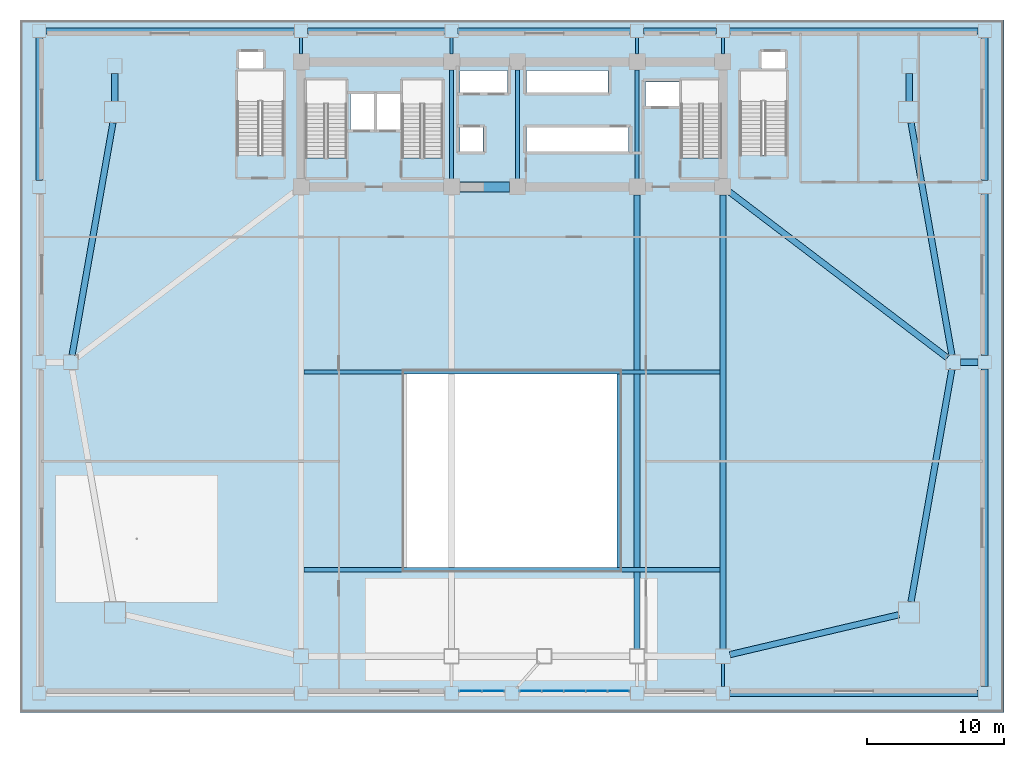
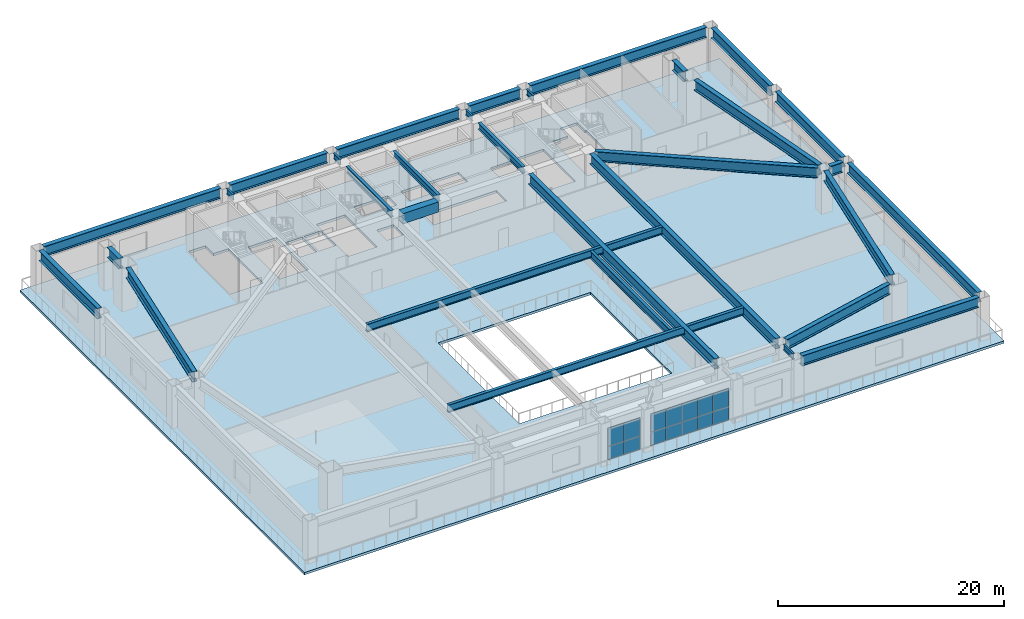
# One storey, part 5 of 14: 32 beams, 14 plates, 1 slab, 2 elements without a shape of their own.
"""IFC4 building model written with IfcOpenShell, lengths in metres."""

import ifcopenshell
import ifcopenshell.guid

model = None  # the IFC model being written
_history = None  # IfcOwnerHistory: only IFC2X3 demands one
_inside = {}  # id of a spatial element -> (the spatial element, [elements in it])
_under = {}  # id of a project, library or spatial element -> (it, [spatial elements below it])
_declared = {}  # id of a project -> (the project, [libraries it declares])
_typed = {}  # id of a type object -> (the type object, [elements of that type])
_made_of = {}  # id of a material, layer set ... -> (it, [elements and type objects made of it])


def new_model(schema):
    """Start an empty IFC model of exactly this schema.

    Asked for "IFC4X3", IfcOpenShell would pick the latest addendum, in which some entities
    have other attributes; the version numbers below select the first issue.
    IFC2X3 requires an IfcOwnerHistory on every rooted entity: one is made here for all.
    """
    global model, _history
    if schema == "IFC4X3":
        model = ifcopenshell.file(schema_version=(4, 3, 0, 0))
    else:
        model = ifcopenshell.file(schema=schema)
    _inside.clear()
    _under.clear()
    _declared.clear()
    _typed.clear()
    _made_of.clear()
    _history = None
    if model.schema == "IFC2X3":
        org = make("IfcOrganization", Name="unknown")
        user = make(
            "IfcPersonAndOrganization",
            ThePerson=make("IfcPerson", FamilyName="unknown"),
            TheOrganization=org,
        )
        app = make(
            "IfcApplication",
            ApplicationDeveloper=org,
            Version="unknown",
            ApplicationFullName="unknown",
            ApplicationIdentifier="unknown",
        )
        _history = make(
            "IfcOwnerHistory",
            OwningUser=user,
            OwningApplication=app,
            ChangeAction="ADDED",
            CreationDate=0,
        )
    return model


def make(cls, **values):
    """One entity of the class cls with the attributes given. An attribute that is None is left unset."""
    return model.create_entity(
        cls, **{name: value for name, value in values.items() if value is not None}
    )


def rooted(cls, **values):
    """An entity with a GlobalId (a new one), such as an element, a storey or a relation."""
    return make(cls, GlobalId=ifcopenshell.guid.new(), OwnerHistory=_history, **values)


def si_unit(unit_type, name, prefix=None):
    """IfcSIUnit, for example si_unit("LENGTHUNIT", "METRE", prefix="MILLI")."""
    return make("IfcSIUnit", UnitType=unit_type, Prefix=prefix, Name=name)


def assignment(units):
    """IfcUnitAssignment: the units of a project."""
    return None if units is None else make("IfcUnitAssignment", Units=units)


def point(xyz):
    """IfcCartesianPoint."""
    return None if xyz is None else make("IfcCartesianPoint", Coordinates=xyz)


def direction(xyz):
    """IfcDirection."""
    return None if xyz is None else make("IfcDirection", DirectionRatios=xyz)


def frame(location, z_axis=None, x_axis=None):
    """IfcAxis2Placement3D, a coordinate frame: its origin and axes. An axis left out is left unset."""
    return make(
        "IfcAxis2Placement3D",
        Location=point(location),
        Axis=direction(z_axis),
        RefDirection=direction(x_axis),
    )


def frame_2d(location, x_axis=None):
    """IfcAxis2Placement2D, a coordinate frame in the plane: its origin and x axis."""
    return make(
        "IfcAxis2Placement2D", Location=point(location), RefDirection=direction(x_axis)
    )


def origin():
    """The frame at (0, 0, 0) with its axes left unset."""
    return frame((0.0, 0.0, 0.0))


def origin_2d():
    """The frame at (0, 0) in the plane with its x axis left unset."""
    return frame_2d((0.0, 0.0))


def place(relative_to, where):
    """IfcLocalPlacement: puts the frame where relative to a parent placement (None: the world)."""
    return make(
        "IfcLocalPlacement", PlacementRelTo=relative_to, RelativePlacement=where
    )


def context(
    kind, dimensions, precision=None, world=None, true_north=None, identifier=None
):
    """IfcGeometricRepresentationContext, for example the 3D "Model" context."""
    return make(
        "IfcGeometricRepresentationContext",
        ContextIdentifier=identifier,
        ContextType=kind,
        CoordinateSpaceDimension=dimensions,
        Precision=precision,
        WorldCoordinateSystem=world,
        TrueNorth=true_north,
    )


def subcontext(parent, identifier, kind, view, scale=None):
    """IfcGeometricRepresentationSubContext, for example "Body" below "Model"."""
    return make(
        "IfcGeometricRepresentationSubContext",
        ContextIdentifier=identifier,
        ContextType=kind,
        ParentContext=parent,
        TargetScale=scale,
        TargetView=view,
    )


def project(units=None, contexts=None):
    """IfcProject with its units and contexts."""
    return rooted(
        "IfcProject",
        Name="project",
        RepresentationContexts=contexts,
        UnitsInContext=assignment(units),
    )


def spatial(cls, under=None, at=None, **own):
    """A site, building, storey or space (cls), placed at a placement, below another one or the project."""
    s = rooted(cls, ObjectPlacement=at, **own)
    if under is not None:
        _under.setdefault(under.id(), (under, []))[1].append(s)
    return s


def polyline(points):
    """IfcPolyline through the points."""
    return make("IfcPolyline", Points=[point(p) for p in points])


def profile(cls, at=None, kind="AREA", **sizes):
    """A parametric profile (cls). Its sizes go by their IFC names, for example OverallWidth=200.0."""
    return make(cls, ProfileType=kind, Position=at, **sizes)


def rectangle(**sizes):
    """IfcRectangleProfileDef."""
    return profile("IfcRectangleProfileDef", **sizes)


def i_section(**sizes):
    """IfcIShapeProfileDef."""
    return profile("IfcIShapeProfileDef", **sizes)


def outline(outer, holes=None, kind="AREA"):
    """IfcArbitraryClosedProfileDef: a profile drawn as a closed curve; with holes, ...WithVoids."""
    if holes is None:
        return make("IfcArbitraryClosedProfileDef", ProfileType=kind, OuterCurve=outer)
    return make(
        "IfcArbitraryProfileDefWithVoids",
        ProfileType=kind,
        OuterCurve=outer,
        InnerCurves=holes,
    )


def extrude(swept, where, along, depth):
    """IfcExtrudedAreaSolid: the profile swept, set in the frame where, extruded along a direction by depth."""
    return make(
        "IfcExtrudedAreaSolid",
        SweptArea=swept,
        Position=where,
        ExtrudedDirection=direction(along),
        Depth=depth,
    )


def shape(context_of_items, identifier, shape_type, items):
    """IfcShapeRepresentation: the items that make up one representation, for example the "Body"."""
    return make(
        "IfcShapeRepresentation",
        ContextOfItems=context_of_items,
        RepresentationIdentifier=identifier,
        RepresentationType=shape_type,
        Items=items,
    )


def source(mapping_origin, context_of_items, identifier, shape_type, items):
    """IfcRepresentationMap: a shape defined once, which mapped items show again and again."""
    return make(
        "IfcRepresentationMap",
        MappingOrigin=mapping_origin,
        MappedRepresentation=shape(context_of_items, identifier, shape_type, items),
    )


def transform(
    local_origin,
    x_axis=None,
    y_axis=None,
    z_axis=None,
    scale=None,
    scale2=None,
    scale3=None,
    uniform=True,
):
    """IfcCartesianTransformationOperator3D, or its non-uniform kind. x_axis, y_axis, z_axis: its Axis1, 2, 3."""
    if uniform:
        return make(
            "IfcCartesianTransformationOperator3D",
            Axis1=direction(x_axis),
            Axis2=direction(y_axis),
            LocalOrigin=point(local_origin),
            Scale=scale,
            Axis3=direction(z_axis),
        )
    return make(
        "IfcCartesianTransformationOperator3DnonUniform",
        Axis1=direction(x_axis),
        Axis2=direction(y_axis),
        LocalOrigin=point(local_origin),
        Scale=scale,
        Axis3=direction(z_axis),
        Scale2=scale2,
        Scale3=scale3,
    )


def mapped(mapping_source, mapping_target):
    """IfcMappedItem: shows the shape of a source again, moved by a transform."""
    return make(
        "IfcMappedItem", MappingSource=mapping_source, MappingTarget=mapping_target
    )


def material(Name=None, Category=None):
    """IfcMaterial."""
    return make("IfcMaterial", Name=Name, Category=Category)


def layer(
    of_material, thickness, ventilated=None, Name=None, Category=None, Priority=None
):
    """IfcMaterialLayer: one layer of a wall or slab, of a material (None: an air gap)."""
    return make(
        "IfcMaterialLayer",
        Material=of_material,
        LayerThickness=thickness,
        IsVentilated=ventilated,
        Name=Name,
        Category=Category,
        Priority=Priority,
    )


def layer_set(layers, Name=None):
    """IfcMaterialLayerSet."""
    return make("IfcMaterialLayerSet", MaterialLayers=layers, LayerSetName=Name)


def material_profile(
    of_material, cross_section, Name=None, Category=None, Priority=None
):
    """IfcMaterialProfile: a cross section and its material."""
    return make(
        "IfcMaterialProfile",
        Name=Name,
        Material=of_material,
        Profile=cross_section,
        Priority=Priority,
        Category=Category,
    )


def profile_set(profiles, Name=None, composite=None):
    """IfcMaterialProfileSet."""
    return make(
        "IfcMaterialProfileSet",
        Name=Name,
        MaterialProfiles=profiles,
        CompositeProfile=composite,
    )


def made_of(thing, what):
    """Note that an element or type object is made of a material, layer set ...; save() writes the relation."""
    if what is not None:
        _made_of.setdefault(what.id(), (what, []))[1].append(thing)
    return thing


def type_object(cls, material=None, **own):
    """A type object (cls), such as IfcWallType, which elements share."""
    return made_of(rooted(cls, **own), material)


def element(
    cls,
    number,
    at=None,
    inside=None,
    cuts=None,
    type_object=None,
    material=None,
    context=None,
    identifier="Body",
    shape_type=None,
    held_by="IfcProductDefinitionShape",
    body=None,
    shapes=None,
    **own,
):
    """One element of the class cls, such as IfcWall. Its Tag is "e" and its number.

    at: its placement. inside: the storey or other place that contains it. cuts: it is an
    opening in that element (IfcRelVoidsElement). A single representation is given by context,
    identifier, shape_type and body (its items); several are given by shapes. held_by: the class
    of the entity that holds the representations. save() writes the other relations.
    """
    e = rooted(cls, Tag="e%d" % number, ObjectPlacement=at, **own)
    if body is not None:
        shapes = [shape(context, identifier, shape_type, body)]
    if shapes is not None:
        e.Representation = make(held_by, Representations=shapes)
    if inside is not None:
        _inside.setdefault(inside.id(), (inside, []))[1].append(e)
    if cuts is not None:
        rooted(
            "IfcRelVoidsElement", RelatingBuildingElement=cuts, RelatedOpeningElement=e
        )
    if type_object is not None:
        _typed.setdefault(type_object.id(), (type_object, []))[1].append(e)
    return made_of(e, material)


def aggregate(whole, parts):
    """IfcRelAggregates: a whole, such as a stair, and the parts it consists of."""
    return rooted("IfcRelAggregates", RelatingObject=whole, RelatedObjects=parts)


def save(model, path):
    """Write the relations noted so far, then the file.

    IfcRelAggregates (storeys below a building ...), IfcRelContainedInSpatialStructure (elements
    in a storey), IfcRelDefinesByType, IfcRelAssociatesMaterial and IfcRelDeclares: one each for
    every whole, place, type object, material and project.
    """
    for whole, parts in _under.values():
        aggregate(whole, parts)
    for where, things in _inside.values():
        rooted(
            "IfcRelContainedInSpatialStructure",
            RelatedElements=things,
            RelatingStructure=where,
        )
    for kind, things in _typed.values():
        rooted("IfcRelDefinesByType", RelatedObjects=things, RelatingType=kind)
    for what, things in _made_of.values():
        rooted("IfcRelAssociatesMaterial", RelatedObjects=things, RelatingMaterial=what)
    for by, libraries in _declared.values():
        rooted("IfcRelDeclares", RelatingContext=by, RelatedDefinitions=libraries)
    model.write(path)


model = new_model("IFC4")

# Units and contexts
model_context = context("Model", 3, precision=1e-05, world=origin(), true_north=direction((0.0, 1.0)))
body_context = subcontext(model_context, "Body", "Model", "MODEL_VIEW")
ifc_project = project(units=[si_unit("LENGTHUNIT", "METRE"), si_unit("AREAUNIT", "SQUARE_METRE"), si_unit("VOLUMEUNIT", "CUBIC_METRE"), si_unit("PLANEANGLEUNIT", "RADIAN"), si_unit("MASSUNIT", "GRAM", prefix="KILO")], contexts=[model_context])

# Site, building, storey
site_placement = place(None, origin())
site = spatial("IfcSite", under=ifc_project, at=site_placement, CompositionType="ELEMENT")
building_placement = place(site_placement, origin())
building = spatial("IfcBuilding", under=site, at=building_placement, Name="Giltprow Tower", CompositionType="ELEMENT")
storey_placement = place(building_placement, frame((0.0, 0.0, 15.199951171875)))
storey = spatial("IfcBuildingStorey", under=building, at=storey_placement, Name="L04", CompositionType="ELEMENT", Elevation=15.199951171875)

# Beams
ifc_material_1 = material(Name="Concrete C60", Category="concrete")
ifc_material_profile_1 = material_profile(ifc_material_1, rectangle(XDim=0.699951171875, YDim=1.10009765625, at=origin_2d()), Name="RC 1100x700")
ifc_profile_set_1 = profile_set([ifc_material_profile_1], Name="Concrete C60")
beam_type_1 = type_object("IfcBeamType", Name="BM-CPL-RC1100", PredefinedType="LINTEL", material=ifc_profile_set_1)
shared_shape_1 = source(origin(), body_context, "Body", "SweptSolid", [
    extrude(rectangle(XDim=0.699951171875, YDim=1.10009765625, at=origin_2d()), origin(), (0.0, 0.0, 1.0), 3.6298828125),
])
beam_1_placement = place(storey_placement, frame((31.385009765625, 37.449951171875, 4.10009765625), z_axis=(1.0, 0.0, 0.0), x_axis=(0.0, 1.0, 0.0)))
element("IfcBeam", 1, at=beam_1_placement, inside=storey, type_object=beam_type_1, Name="L04 Core Coupling Beam CB-1", PredefinedType="LINTEL", context=body_context, shape_type="MappedRepresentation", body=[
    mapped(shared_shape_1, transform((0.0, 0.0, 0.0), x_axis=(1.0, 0.0, 0.0), y_axis=(0.0, 1.0, 0.0), z_axis=(0.0, 0.0, 1.0), scale=1.0)),
])
ifc_material_2 = material(Name="Structural steel Q355B", Category="steel")
ifc_material_profile_2 = material_profile(ifc_material_2, i_section(OverallWidth=0.300048828125, OverallDepth=0.699951171875, WebThickness=0.012939453125, FlangeThickness=0.02392578125, at=origin_2d()), Name="HN 700x300x13x24")
ifc_profile_set_2 = profile_set([ifc_material_profile_2], Name="Structural steel Q355B")
beam_type_2 = type_object("IfcBeamType", Name="BM-GIRD-HN700", PredefinedType="BEAM", material=ifc_profile_set_2)
shared_shape_2 = source(origin(), body_context, "Body", "SweptSolid", [
    extrude(i_section(OverallWidth=0.300048828125, OverallDepth=0.699951171875, WebThickness=0.012939453125, FlangeThickness=0.02392578125, at=origin_2d()), origin(), (0.0, 0.0, 1.0), 7.93017578125),
])
for number, where, z_axis, x_axis, name in (
    (2, (30.800048828125, 38.034912109375, 4.300048828125), (0.0, 1.0, 0.0), (-1.0, 0.0, 0.0), "L04 Core Tie Girder M1"),
    (3, (35.60009765625, 38.034912109375, 4.300048828125), (0.0, 1.0, 0.0), (-1.0, 0.0, 0.0), "L04 Core Tie Girder M2"),
    (4, (44.300048828125, 38.034912109375, 4.300048828125), (0.0, 1.0, 0.0), (-1.0, 0.0, 0.0), "L04 Core Tie Girder M3"),
):
    element("IfcBeam", number, at=place(storey_placement, frame(where, z_axis=z_axis, x_axis=x_axis)), inside=storey, type_object=beam_type_2, Name=name, PredefinedType="BEAM", context=body_context, shape_type="MappedRepresentation", body=[
        mapped(shared_shape_2, transform((0.0, 0.0, 0.0), x_axis=(1.0, 0.0, 0.0), y_axis=(0.0, 1.0, 0.0), z_axis=(0.0, 0.0, 1.0), scale=1.0)),
    ])
ifc_material_3 = material(Name="Structural steel Q420GJC", Category="steel")
ifc_material_profile_3 = material_profile(ifc_material_3, i_section(OverallWidth=0.449951171875, OverallDepth=1.10009765625, WebThickness=0.02587890625, FlangeThickness=0.0419921875, at=origin_2d()), Name="WH 1100x450x26x42")
ifc_profile_set_3 = profile_set([ifc_material_profile_3], Name="Structural steel Q420GJC")
beam_type_3 = type_object("IfcBeamType", Name="BM-GIRD-WH1100", PredefinedType="BEAM", material=ifc_profile_set_3)
shared_shape_3 = source(origin(), body_context, "Body", "SweptSolid", [
    extrude(i_section(OverallWidth=0.449951171875, OverallDepth=1.10009765625, WebThickness=0.02587890625, FlangeThickness=0.0419921875, at=origin_2d()), origin(), (0.0, 0.0, 1.0), 12.602294921875),
])
beam_2_placement = place(storey_placement, frame((51.071044921875, 3.423095703125, 4.10009765625), z_axis=(0.973220162017, 0.229875001344, 0.0), x_axis=(-0.229875001344, 0.973220162017, 0.0)))
element("IfcBeam", 5, at=beam_2_placement, inside=storey, type_object=beam_type_3, Name="L04 Tower Base Ring Girder 6", PredefinedType="BEAM", context=body_context, shape_type="MappedRepresentation", body=[
    mapped(shared_shape_3, transform((0.0, 0.0, 0.0), x_axis=(1.0, 0.0, 0.0), y_axis=(0.0, 1.0, 0.0), z_axis=(0.0, 0.0, 1.0), scale=1.0)),
])
shared_shape_4 = source(origin(), body_context, "Body", "SweptSolid", [
    extrude(i_section(OverallWidth=0.449951171875, OverallDepth=1.10009765625, WebThickness=0.02587890625, FlangeThickness=0.0419921875, at=origin_2d()), origin(), (0.0, 0.0, 1.0), 17.1591796875),
])
beam_3_placement = place(storey_placement, frame((64.236083984375, 7.27294921875, 4.10009765625), z_axis=(0.173139216532, 0.984897360997, 0.0), x_axis=(-0.984897360997, 0.173139216532, 0.0)))
element("IfcBeam", 6, at=beam_3_placement, inside=storey, type_object=beam_type_3, Name="L04 Tower Base Ring Girder 7", PredefinedType="BEAM", context=body_context, shape_type="MappedRepresentation", body=[
    mapped(shared_shape_4, transform((0.0, 0.0, 0.0), x_axis=(1.0, 0.0, 0.0), y_axis=(0.0, 1.0, 0.0), z_axis=(0.0, 0.0, 1.0), scale=1.0)),
])
shared_shape_5 = source(origin(), body_context, "Body", "SweptSolid", [
    extrude(i_section(OverallWidth=0.449951171875, OverallDepth=1.10009765625, WebThickness=0.02587890625, FlangeThickness=0.0419921875, at=origin_2d()), origin(), (0.0, 0.0, 1.0), 17.158935546875),
])
for number, where, z_axis, x_axis, name in (
    (7, (67.20703125, 25.22705078125, 4.10009765625), (-0.173141642767, 0.984896934476, 0.0), (-0.984896934476, -0.173141642767, 0.0), "L04 Tower Base Ring Girder 8"),
    (8, (6.1640625, 42.126953125, 4.10009765625), (-0.173141642767, -0.984896934476, 0.0), (0.984896934476, -0.173141642767, 0.0), "L04 Tower Base Ring Girder 11"),
):
    element("IfcBeam", number, at=place(storey_placement, frame(where, z_axis=z_axis, x_axis=x_axis)), inside=storey, type_object=beam_type_3, Name=name, PredefinedType="BEAM", context=body_context, shape_type="MappedRepresentation", body=[
        mapped(shared_shape_5, transform((0.0, 0.0, 0.0), x_axis=(1.0, 0.0, 0.0), y_axis=(0.0, 1.0, 0.0), z_axis=(0.0, 0.0, 1.0), scale=1.0)),
    ])
shared_shape_6 = source(origin(), body_context, "Body", "SweptSolid", [
    extrude(i_section(OverallWidth=0.449951171875, OverallDepth=1.10009765625, WebThickness=0.02587890625, FlangeThickness=0.0419921875, at=origin_2d()), origin(), (0.0, 0.0, 1.0), 2.030029296875),
])
for number, where, z_axis, x_axis, name in (
    (9, (64.10009765625, 43.68505859375, 4.10009765625), (0.0, 1.0, 0.0), (-1.0, 0.0, 0.0), "L04 Tower Base Ring Girder 9"),
    (10, (6.300048828125, 45.715087890625, 4.10009765625), (0.0, -1.0, 0.0), (1.0, 0.0, 0.0), "L04 Tower Base Ring Girder 10"),
):
    element("IfcBeam", number, at=place(storey_placement, frame(where, z_axis=z_axis, x_axis=x_axis)), inside=storey, type_object=beam_type_3, Name=name, PredefinedType="BEAM", context=body_context, shape_type="MappedRepresentation", body=[
        mapped(shared_shape_6, transform((0.0, 0.0, 0.0), x_axis=(1.0, 0.0, 0.0), y_axis=(0.0, 1.0, 0.0), z_axis=(0.0, 0.0, 1.0), scale=1.0)),
    ])
shared_shape_7 = source(origin(), body_context, "Body", "SweptSolid", [
    extrude(i_section(OverallWidth=0.449951171875, OverallDepth=1.10009765625, WebThickness=0.02587890625, FlangeThickness=0.0419921875, at=origin_2d()), origin(), (0.0, 0.0, 1.0), 33.030029296875),
])
for number, where, z_axis, x_axis, name in (
    (11, (44.300048828125, 3.8349609375, 4.10009765625), (0.0, 1.0, 0.0), (-1.0, 0.0, 0.0), "L04 Primary Podium Span Girder S3"),
    (12, (50.550048828125, 3.8349609375, 4.10009765625), (0.0, 1.0, 0.0), (-1.0, 0.0, 0.0), "L04 Primary Podium Span Girder S4"),
):
    element("IfcBeam", number, at=place(storey_placement, frame(where, z_axis=z_axis, x_axis=x_axis)), inside=storey, type_object=beam_type_3, Name=name, PredefinedType="BEAM", context=body_context, shape_type="MappedRepresentation", body=[
        mapped(shared_shape_7, transform((0.0, 0.0, 0.0), x_axis=(1.0, 0.0, 0.0), y_axis=(0.0, 1.0, 0.0), z_axis=(0.0, 0.0, 1.0), scale=1.0)),
    ])
shared_shape_8 = source(origin(), body_context, "Body", "SweptSolid", [
    extrude(i_section(OverallWidth=0.449951171875, OverallDepth=1.10009765625, WebThickness=0.02587890625, FlangeThickness=0.0419921875, at=origin_2d()), origin(), (0.0, 0.0, 1.0), 19.930908203125),
])
beam_4_placement = place(storey_placement, frame((51.014892578125, 37.095947265625, 4.10009765625), z_axis=(0.795700739064, -0.605689965124, 0.0), x_axis=(0.605689965124, 0.795700739064, 0.0)))
element("IfcBeam", 13, at=beam_4_placement, inside=storey, type_object=beam_type_3, Name="L04 East Tie 2", PredefinedType="BEAM", context=body_context, shape_type="MappedRepresentation", body=[
    mapped(shared_shape_8, transform((0.0, 0.0, 0.0), x_axis=(1.0, 0.0, 0.0), y_axis=(0.0, 1.0, 0.0), z_axis=(0.0, 0.0, 1.0), scale=1.0)),
])
shared_shape_9 = source(origin(), body_context, "Body", "SweptSolid", [
    extrude(i_section(OverallWidth=0.449951171875, OverallDepth=1.10009765625, WebThickness=0.02587890625, FlangeThickness=0.0419921875, at=origin_2d()), origin(), (0.0, 0.0, 1.0), 18.080078125),
])
for number, where, z_axis, x_axis, name in (
    (14, (51.034912109375, 0.60009765625, 4.10009765625), (1.0, 0.0, 0.0), (0.0, 1.0, 0.0), "L04 Podium South Edge Girder"),
    (15, (1.284912109375, 48.800048828125, 4.10009765625), (1.0, 0.0, 0.0), (0.0, 1.0, 0.0), "L04 Podium North Edge Girder"),
    (16, (51.034912109375, 48.800048828125, 4.10009765625), (1.0, 0.0, 0.0), (0.0, 1.0, 0.0), "L04 Podium North Edge Girder"),
):
    element("IfcBeam", number, at=place(storey_placement, frame(where, z_axis=z_axis, x_axis=x_axis)), inside=storey, type_object=beam_type_3, Name=name, PredefinedType="BEAM", context=body_context, shape_type="MappedRepresentation", body=[
        mapped(shared_shape_9, transform((0.0, 0.0, 0.0), x_axis=(1.0, 0.0, 0.0), y_axis=(0.0, 1.0, 0.0), z_axis=(0.0, 0.0, 1.0), scale=1.0)),
    ])
shared_shape_10 = source(origin(), body_context, "Body", "SweptSolid", [
    extrude(i_section(OverallWidth=0.449951171875, OverallDepth=1.10009765625, WebThickness=0.02587890625, FlangeThickness=0.0419921875, at=origin_2d()), origin(), (0.0, 0.0, 1.0), 9.97998046875),
])
beam_5_placement = place(storey_placement, frame((20.3349609375, 48.800048828125, 4.10009765625), z_axis=(1.0, 0.0, 0.0), x_axis=(0.0, 1.0, 0.0)))
element("IfcBeam", 17, at=beam_5_placement, inside=storey, type_object=beam_type_3, Name="L04 Podium North Edge Girder", PredefinedType="BEAM", context=body_context, shape_type="MappedRepresentation", body=[
    mapped(shared_shape_10, transform((0.0, 0.0, 0.0), x_axis=(1.0, 0.0, 0.0), y_axis=(0.0, 1.0, 0.0), z_axis=(0.0, 0.0, 1.0), scale=1.0)),
])
shared_shape_11 = source(origin(), body_context, "Body", "SweptSolid", [
    extrude(i_section(OverallWidth=0.449951171875, OverallDepth=1.10009765625, WebThickness=0.02587890625, FlangeThickness=0.0419921875, at=origin_2d()), origin(), (0.0, 0.0, 1.0), 5.280029296875),
])
beam_6_placement = place(storey_placement, frame((44.784912109375, 48.800048828125, 4.10009765625), z_axis=(1.0, 0.0, 0.0), x_axis=(0.0, 1.0, 0.0)))
element("IfcBeam", 18, at=beam_6_placement, inside=storey, type_object=beam_type_3, Name="L04 Podium North Edge Girder", PredefinedType="BEAM", context=body_context, shape_type="MappedRepresentation", body=[
    mapped(shared_shape_11, transform((0.0, 0.0, 0.0), x_axis=(1.0, 0.0, 0.0), y_axis=(0.0, 1.0, 0.0), z_axis=(0.0, 0.0, 1.0), scale=1.0)),
])
shared_shape_12 = source(origin(), body_context, "Body", "SweptSolid", [
    extrude(i_section(OverallWidth=0.449951171875, OverallDepth=1.10009765625, WebThickness=0.02587890625, FlangeThickness=0.0419921875, at=origin_2d()), origin(), (0.0, 0.0, 1.0), 12.530029296875),
])
beam_7_placement = place(storey_placement, frame((31.284912109375, 48.800048828125, 4.10009765625), z_axis=(1.0, 0.0, 0.0), x_axis=(0.0, 1.0, 0.0)))
element("IfcBeam", 19, at=beam_7_placement, inside=storey, type_object=beam_type_3, Name="L04 Podium North Edge Girder", PredefinedType="BEAM", context=body_context, shape_type="MappedRepresentation", body=[
    mapped(shared_shape_12, transform((0.0, 0.0, 0.0), x_axis=(1.0, 0.0, 0.0), y_axis=(0.0, 1.0, 0.0), z_axis=(0.0, 0.0, 1.0), scale=1.0)),
])
shared_shape_13 = source(origin(), body_context, "Body", "SweptSolid", [
    extrude(i_section(OverallWidth=0.449951171875, OverallDepth=1.10009765625, WebThickness=0.02587890625, FlangeThickness=0.0419921875, at=origin_2d()), origin(), (0.0, 0.0, 1.0), 23.130126953125),
])
beam_8_placement = place(storey_placement, frame((69.60009765625, 1.0849609375, 4.10009765625), z_axis=(0.0, 1.0, 0.0), x_axis=(-1.0, 0.0, 0.0)))
element("IfcBeam", 20, at=beam_8_placement, inside=storey, type_object=beam_type_3, Name="L04 Podium Side Girder", PredefinedType="BEAM", context=body_context, shape_type="MappedRepresentation", body=[
    mapped(shared_shape_13, transform((0.0, 0.0, 0.0), x_axis=(1.0, 0.0, 0.0), y_axis=(0.0, 1.0, 0.0), z_axis=(0.0, 0.0, 1.0), scale=1.0)),
])
shared_shape_14 = source(origin(), body_context, "Body", "SweptSolid", [
    extrude(i_section(OverallWidth=0.449951171875, OverallDepth=1.10009765625, WebThickness=0.02587890625, FlangeThickness=0.0419921875, at=origin_2d()), origin(), (0.0, 0.0, 1.0), 11.780029296875),
])
beam_9_placement = place(storey_placement, frame((69.60009765625, 25.18505859375, 4.10009765625), z_axis=(0.0, 1.0, 0.0), x_axis=(-1.0, 0.0, 0.0)))
element("IfcBeam", 21, at=beam_9_placement, inside=storey, type_object=beam_type_3, Name="L04 Podium Side Girder", PredefinedType="BEAM", context=body_context, shape_type="MappedRepresentation", body=[
    mapped(shared_shape_14, transform((0.0, 0.0, 0.0), x_axis=(1.0, 0.0, 0.0), y_axis=(0.0, 1.0, 0.0), z_axis=(0.0, 0.0, 1.0), scale=1.0)),
])
shared_shape_15 = source(origin(), body_context, "Body", "SweptSolid", [
    extrude(i_section(OverallWidth=0.449951171875, OverallDepth=1.10009765625, WebThickness=0.02587890625, FlangeThickness=0.0419921875, at=origin_2d()), origin(), (0.0, 0.0, 1.0), 10.3798828125),
])
for number, where, z_axis, x_axis, name in (
    (22, (0.800048828125, 37.93505859375, 4.10009765625), (0.0, 1.0, 0.0), (-1.0, 0.0, 0.0), "L04 Podium Side Girder"),
    (23, (69.60009765625, 37.93505859375, 4.10009765625), (0.0, 1.0, 0.0), (-1.0, 0.0, 0.0), "L04 Podium Side Girder"),
):
    element("IfcBeam", number, at=place(storey_placement, frame(where, z_axis=z_axis, x_axis=x_axis)), inside=storey, type_object=beam_type_3, Name=name, PredefinedType="BEAM", context=body_context, shape_type="MappedRepresentation", body=[
        mapped(shared_shape_15, transform((0.0, 0.0, 0.0), x_axis=(1.0, 0.0, 0.0), y_axis=(0.0, 1.0, 0.0), z_axis=(0.0, 0.0, 1.0), scale=1.0)),
    ])
ifc_material_profile_4 = material_profile(ifc_material_2, i_section(OverallWidth=0.199951171875, OverallDepth=0.60009765625, WebThickness=0.010986328125, FlangeThickness=0.01708984375, at=origin_2d()), Name="HN 600x200x11x17")
ifc_profile_set_4 = profile_set([ifc_material_profile_4], Name="Structural steel Q355B")
beam_type_4 = type_object("IfcBeamType", Name="BM-GIRD-HN600", PredefinedType="BEAM", material=ifc_profile_set_4)
shared_shape_16 = source(origin(), body_context, "Body", "SweptSolid", [
    extrude(i_section(OverallWidth=0.199951171875, OverallDepth=0.60009765625, WebThickness=0.010986328125, FlangeThickness=0.01708984375, at=origin_2d()), origin(), (0.0, 0.0, 1.0), 1.679931640625),
])
beam_10_placement = place(storey_placement, frame((50.550048828125, 1.0849609375, 4.35009765625), z_axis=(0.0, 1.0, 0.0), x_axis=(-1.0, 0.0, 0.0)))
element("IfcBeam", 24, at=beam_10_placement, inside=storey, type_object=beam_type_4, Name="L04 South Perimeter Tie S4", PredefinedType="BEAM", context=body_context, shape_type="MappedRepresentation", body=[
    mapped(shared_shape_16, transform((0.0, 0.0, 0.0), x_axis=(1.0, 0.0, 0.0), y_axis=(0.0, 1.0, 0.0), z_axis=(0.0, 0.0, 1.0), scale=1.0)),
])
shared_shape_17 = source(origin(), body_context, "Body", "SweptSolid", [
    extrude(i_section(OverallWidth=0.199951171875, OverallDepth=0.60009765625, WebThickness=0.010986328125, FlangeThickness=0.01708984375, at=origin_2d()), origin(), (0.0, 0.0, 1.0), 1.179931640625),
])
for number, where, z_axis, x_axis, name in (
    (25, (19.85009765625, 47.135009765625, 4.35009765625), (0.0, 1.0, 0.0), (-1.0, 0.0, 0.0), "L04 North Perimeter Tie S1"),
    (26, (30.800048828125, 47.135009765625, 4.35009765625), (0.0, 1.0, 0.0), (-1.0, 0.0, 0.0), "L04 North Perimeter Tie S2"),
    (27, (44.300048828125, 47.135009765625, 4.35009765625), (0.0, 1.0, 0.0), (-1.0, 0.0, 0.0), "L04 North Perimeter Tie S3"),
    (28, (50.550048828125, 47.135009765625, 4.35009765625), (0.0, 1.0, 0.0), (-1.0, 0.0, 0.0), "L04 North Perimeter Tie S4"),
):
    element("IfcBeam", number, at=place(storey_placement, frame(where, z_axis=z_axis, x_axis=x_axis)), inside=storey, type_object=beam_type_4, Name=name, PredefinedType="BEAM", context=body_context, shape_type="MappedRepresentation", body=[
        mapped(shared_shape_17, transform((0.0, 0.0, 0.0), x_axis=(1.0, 0.0, 0.0), y_axis=(0.0, 1.0, 0.0), z_axis=(0.0, 0.0, 1.0), scale=1.0)),
    ])
shared_shape_18 = source(origin(), body_context, "Body", "SweptSolid", [
    extrude(i_section(OverallWidth=0.449951171875, OverallDepth=1.10009765625, WebThickness=0.02587890625, FlangeThickness=0.0419921875, at=origin_2d()), origin(), (0.0, 0.0, 1.0), 1.280029296875),
])
beam_11_placement = place(storey_placement, frame((67.8349609375, 24.699951171875, 4.10009765625), z_axis=(1.0, 0.0, 0.0), x_axis=(0.0, 1.0, 0.0)))
element("IfcBeam", 29, at=beam_11_placement, inside=storey, type_object=beam_type_3, Name="L04 East Tie 1", PredefinedType="BEAM", context=body_context, shape_type="MappedRepresentation", body=[
    mapped(shared_shape_18, transform((0.0, 0.0, 0.0), x_axis=(1.0, 0.0, 0.0), y_axis=(0.0, 1.0, 0.0), z_axis=(0.0, 0.0, 1.0), scale=1.0)),
])
ifc_material_profile_5 = material_profile(ifc_material_2, i_section(OverallWidth=0.300048828125, OverallDepth=0.800048828125, WebThickness=0.013916015625, FlangeThickness=0.02587890625, at=origin_2d()), Name="HN 800x300x14x26")
ifc_profile_set_5 = profile_set([ifc_material_profile_5], Name="Structural steel Q355B")
beam_type_5 = type_object("IfcBeamType", Name="BM-GIRD-HN800", PredefinedType="BEAM", material=ifc_profile_set_5)
shared_shape_19 = source(origin(), body_context, "Body", "SweptSolid", [
    extrude(i_section(OverallWidth=0.300048828125, OverallDepth=0.800048828125, WebThickness=0.013916015625, FlangeThickness=0.02587890625, at=origin_2d()), origin(), (0.0, 0.0, 1.0), 30.260009765625),
])
for number, where, z_axis, x_axis, name in (
    (30, (20.070068359375, 9.60009765625, 4.25), (1.0, 0.0, 0.0), (0.0, 1.0, 0.0), "L04 Atrium Edge Girder S"),
    (31, (20.070068359375, 24.0, 4.25), (1.0, 0.0, 0.0), (0.0, 1.0, 0.0), "L04 Atrium Edge Girder N"),
):
    element("IfcBeam", number, at=place(storey_placement, frame(where, z_axis=z_axis, x_axis=x_axis)), inside=storey, type_object=beam_type_5, Name=name, PredefinedType="BEAM", context=body_context, shape_type="MappedRepresentation", body=[
        mapped(shared_shape_19, transform((0.0, 0.0, 0.0), x_axis=(1.0, 0.0, 0.0), y_axis=(0.0, 1.0, 0.0), z_axis=(0.0, 0.0, 1.0), scale=1.0)),
    ])
shared_shape_20 = source(origin(), body_context, "Body", "SweptSolid", [
    extrude(i_section(OverallWidth=0.300048828125, OverallDepth=0.800048828125, WebThickness=0.013916015625, FlangeThickness=0.02587890625, at=origin_2d()), origin(), (0.0, 0.0, 1.0), 14.10009765625),
])
beam_12_placement = place(storey_placement, frame((43.0, 9.75, 4.25), z_axis=(0.0, 1.0, 0.0), x_axis=(-1.0, 0.0, 0.0)))
element("IfcBeam", 32, at=beam_12_placement, inside=storey, type_object=beam_type_5, Name="L04 Atrium Edge Girder E", PredefinedType="BEAM", context=body_context, shape_type="MappedRepresentation", body=[
    mapped(shared_shape_20, transform((0.0, 0.0, 0.0), x_axis=(1.0, 0.0, 0.0), y_axis=(0.0, 1.0, 0.0), z_axis=(0.0, 0.0, 1.0), scale=1.0)),
])

# Slab
ifc_material_4 = material(Name="Concrete C40", Category="concrete")
ifc_layer_1 = layer(ifc_material_4, 0.260009765625, Name="Concrete C40")
ifc_layer_set_1 = layer_set([ifc_layer_1], Name="Concrete C40")
slab_type = type_object("IfcSlabType", Name="SLB-POD-260", PredefinedType="FLOOR", material=ifc_layer_set_1)
slab_placement = place(storey_placement, frame((0.0, 0.0, -0.260009765625)))
element("IfcSlab", 33, at=slab_placement, inside=storey, type_object=slab_type, Name="L04 Structural Composite Floor Slab", PredefinedType="FLOOR", context=body_context, shape_type="SweptSolid", body=[
    extrude(outline(polyline([(-0.60009765625, 49.60009765625), (71.0, 49.60009765625), (71.0, -0.800048828125), (-0.60009765625, -0.800048828125), (-0.60009765625, 49.60009765625)]), holes=[polyline([(31.419921875, 41.800048828125), (31.419921875, 40.0), (33.10009765625, 40.0), (33.10009765625, 41.800048828125), (31.419921875, 41.800048828125)]), polyline([(23.159912109375, 39.570068359375), (23.159912109375, 45.25), (20.199951171875, 45.25), (20.199951171875, 39.570068359375), (23.159912109375, 39.570068359375)]), polyline([(30.159912109375, 39.570068359375), (30.159912109375, 45.25), (27.199951171875, 45.25), (27.199951171875, 39.570068359375), (30.159912109375, 39.570068359375)]), polyline([(18.60009765625, 39.77001953125), (18.60009765625, 45.89990234375), (17.070068359375, 45.89990234375), (17.070068359375, 47.300048828125), (15.35009765625, 47.300048828125), (15.35009765625, 45.89990234375), (15.199951171875, 45.89990234375), (15.199951171875, 39.77001953125), (18.60009765625, 39.77001953125)]), polyline([(25.169921875, 41.60009765625), (25.169921875, 44.199951171875), (23.449951171875, 44.199951171875), (23.449951171875, 41.60009765625), (25.169921875, 41.60009765625)]), polyline([(27.10009765625, 41.60009765625), (27.10009765625, 44.199951171875), (25.35009765625, 44.199951171875), (25.35009765625, 41.60009765625), (27.10009765625, 41.60009765625)]), polyline([(34.8798828125, 44.300048828125), (34.8798828125, 45.919921875), (31.419921875, 45.919921875), (31.419921875, 44.300048828125), (34.8798828125, 44.300048828125)]), polyline([(43.0, 9.60009765625), (43.0, 24.0), (27.39990234375, 24.0), (27.39990234375, 9.60009765625), (43.0, 9.60009765625)]), polyline([(43.659912109375, 40.0), (43.659912109375, 41.800048828125), (36.239990234375, 41.800048828125), (36.239990234375, 40.0), (43.659912109375, 40.0)]), polyline([(50.4599609375, 39.570068359375), (50.4599609375, 45.25), (47.5, 45.25), (47.5, 39.570068359375), (50.4599609375, 39.570068359375)]), polyline([(53.35009765625, 47.300048828125), (53.35009765625, 45.89990234375), (51.800048828125, 45.89990234375), (51.800048828125, 39.77001953125), (55.199951171875, 39.77001953125), (55.199951171875, 45.89990234375), (55.070068359375, 45.89990234375), (55.070068359375, 47.300048828125), (53.35009765625, 47.300048828125)]), polyline([(47.3798828125, 43.300048828125), (47.3798828125, 45.10009765625), (44.919921875, 45.10009765625), (44.919921875, 43.300048828125), (47.3798828125, 43.300048828125)]), polyline([(42.169921875, 44.300048828125), (42.169921875, 45.919921875), (36.239990234375, 45.919921875), (36.239990234375, 44.300048828125), (42.169921875, 44.300048828125)])]), origin(), (0.0, 0.0, 1.0), 0.260009765625),
])

# Curtain wall, plates
ifc_material_5 = material(Name="Anodized bronze", Category="metal")
ifc_layer_2 = layer(ifc_material_5, 0.179931640625, Name="Anodized bronze")
ifc_layer_set_2 = layer_set([ifc_layer_2], Name="Anodized bronze")
curtain_wall_type = type_object("IfcCurtainWallType", Name="CW-POD-STOREFRONT", PredefinedType="NOTDEFINED", material=ifc_layer_set_2)
curtain_wall_1_placement = place(storey_placement, origin())
curtain_wall_1 = element("IfcCurtainWall", 34, at=curtain_wall_1_placement, inside=storey, type_object=curtain_wall_type, Name="L04 South Waterfront Storefront 3", PredefinedType="NOTDEFINED")
ifc_material_6 = material(Name="Insulated glass", Category="glass")
plate_type = type_object("IfcPlateType", Name="CW-PANEL-IGU-28", PredefinedType="CURTAIN_PANEL", material=ifc_material_6)
shared_shape_21 = source(origin(), body_context, "Body", "SweptSolid", [
    extrude(rectangle(XDim=1.6201171875, YDim=0.028076171875, at=origin_2d()), origin(), (0.0, 0.0, 1.0), 1.4150390625),
])
plate_1_placement = place(storey_placement, frame((32.175048828125, 0.780029296875, 0.054443359375), z_axis=(0.0, 0.0, 1.0), x_axis=(1.0, 0.0, 0.0)))
plate_1 = element("IfcPlate", 35, at=plate_1_placement, type_object=plate_type, Name="L04 South Waterfront Storefront 3 Glazing Panel 1-1", PredefinedType="CURTAIN_PANEL", context=body_context, shape_type="MappedRepresentation", body=[
    mapped(shared_shape_21, transform((0.0, 0.0, 0.0), x_axis=(1.0, 0.0, 0.0), y_axis=(0.0, 1.0, 0.0), z_axis=(0.0, 0.0, 1.0), scale=1.0)),
])
plate_2_placement = place(storey_placement, frame((33.824951171875, 0.780029296875, 0.054443359375), z_axis=(0.0, 0.0, 1.0), x_axis=(1.0, 0.0, 0.0)))
plate_2 = element("IfcPlate", 36, at=plate_2_placement, type_object=plate_type, Name="L04 South Waterfront Storefront 3 Glazing Panel 2-1", PredefinedType="CURTAIN_PANEL", context=body_context, shape_type="MappedRepresentation", body=[
    mapped(shared_shape_21, transform((0.0, 0.0, 0.0), x_axis=(1.0, 0.0, 0.0), y_axis=(0.0, 1.0, 0.0), z_axis=(0.0, 0.0, 1.0), scale=1.0)),
])
shared_shape_22 = source(origin(), body_context, "Body", "SweptSolid", [
    extrude(rectangle(XDim=1.6201171875, YDim=0.028076171875, at=origin_2d()), origin(), (0.0, 0.0, 1.0), 1.97900390625),
])
plate_3_placement = place(storey_placement, frame((32.175048828125, 0.780029296875, 1.49755859375), z_axis=(0.0, 0.0, 1.0), x_axis=(1.0, 0.0, 0.0)))
plate_3 = element("IfcPlate", 37, at=plate_3_placement, type_object=plate_type, Name="L04 South Waterfront Storefront 3 Glazing Panel 1-2", PredefinedType="CURTAIN_PANEL", context=body_context, shape_type="MappedRepresentation", body=[
    mapped(shared_shape_22, transform((0.0, 0.0, 0.0), x_axis=(1.0, 0.0, 0.0), y_axis=(0.0, 1.0, 0.0), z_axis=(0.0, 0.0, 1.0), scale=1.0)),
])
plate_4_placement = place(storey_placement, frame((33.824951171875, 0.780029296875, 1.49755859375), z_axis=(0.0, 0.0, 1.0), x_axis=(1.0, 0.0, 0.0)))
plate_4 = element("IfcPlate", 38, at=plate_4_placement, type_object=plate_type, Name="L04 South Waterfront Storefront 3 Glazing Panel 2-2", PredefinedType="CURTAIN_PANEL", context=body_context, shape_type="MappedRepresentation", body=[
    mapped(shared_shape_22, transform((0.0, 0.0, 0.0), x_axis=(1.0, 0.0, 0.0), y_axis=(0.0, 1.0, 0.0), z_axis=(0.0, 0.0, 1.0), scale=1.0)),
])
aggregate(curtain_wall_1, [plate_1, plate_3, plate_2, plate_4])

curtain_wall_2_placement = place(storey_placement, origin())
curtain_wall_2 = element("IfcCurtainWall", 39, at=curtain_wall_2_placement, inside=storey, type_object=curtain_wall_type, Name="L04 South Waterfront Storefront 4", PredefinedType="NOTDEFINED")
shared_shape_23 = source(origin(), body_context, "Body", "SweptSolid", [
    extrude(rectangle(XDim=1.570068359375, YDim=0.028076171875, at=origin_2d()), origin(), (0.0, 0.0, 1.0), 1.4150390625),
])
plate_5_placement = place(storey_placement, frame((36.550048828125, 0.780029296875, 0.054443359375), z_axis=(0.0, 0.0, 1.0), x_axis=(1.0, 0.0, 0.0)))
plate_5 = element("IfcPlate", 40, at=plate_5_placement, type_object=plate_type, Name="L04 South Waterfront Storefront 4 Glazing Panel 1-1", PredefinedType="CURTAIN_PANEL", context=body_context, shape_type="MappedRepresentation", body=[
    mapped(shared_shape_23, transform((0.0, 0.0, 0.0), x_axis=(1.0, 0.0, 0.0), y_axis=(0.0, 1.0, 0.0), z_axis=(0.0, 0.0, 1.0), scale=1.0)),
])
plate_6_placement = place(storey_placement, frame((38.14990234375, 0.780029296875, 0.054443359375), z_axis=(0.0, 0.0, 1.0), x_axis=(1.0, 0.0, 0.0)))
plate_6 = element("IfcPlate", 41, at=plate_6_placement, type_object=plate_type, Name="L04 South Waterfront Storefront 4 Glazing Panel 2-1", PredefinedType="CURTAIN_PANEL", context=body_context, shape_type="MappedRepresentation", body=[
    mapped(shared_shape_23, transform((0.0, 0.0, 0.0), x_axis=(1.0, 0.0, 0.0), y_axis=(0.0, 1.0, 0.0), z_axis=(0.0, 0.0, 1.0), scale=1.0)),
])
plate_7_placement = place(storey_placement, frame((39.75, 0.780029296875, 0.054443359375), z_axis=(0.0, 0.0, 1.0), x_axis=(1.0, 0.0, 0.0)))
plate_7 = element("IfcPlate", 42, at=plate_7_placement, type_object=plate_type, Name="L04 South Waterfront Storefront 4 Glazing Panel 3-1", PredefinedType="CURTAIN_PANEL", context=body_context, shape_type="MappedRepresentation", body=[
    mapped(shared_shape_23, transform((0.0, 0.0, 0.0), x_axis=(1.0, 0.0, 0.0), y_axis=(0.0, 1.0, 0.0), z_axis=(0.0, 0.0, 1.0), scale=1.0)),
])
plate_8_placement = place(storey_placement, frame((41.35009765625, 0.780029296875, 0.054443359375), z_axis=(0.0, 0.0, 1.0), x_axis=(1.0, 0.0, 0.0)))
plate_8 = element("IfcPlate", 43, at=plate_8_placement, type_object=plate_type, Name="L04 South Waterfront Storefront 4 Glazing Panel 4-1", PredefinedType="CURTAIN_PANEL", context=body_context, shape_type="MappedRepresentation", body=[
    mapped(shared_shape_23, transform((0.0, 0.0, 0.0), x_axis=(1.0, 0.0, 0.0), y_axis=(0.0, 1.0, 0.0), z_axis=(0.0, 0.0, 1.0), scale=1.0)),
])
plate_9_placement = place(storey_placement, frame((42.949951171875, 0.780029296875, 0.054443359375), z_axis=(0.0, 0.0, 1.0), x_axis=(1.0, 0.0, 0.0)))
plate_9 = element("IfcPlate", 44, at=plate_9_placement, type_object=plate_type, Name="L04 South Waterfront Storefront 4 Glazing Panel 5-1", PredefinedType="CURTAIN_PANEL", context=body_context, shape_type="MappedRepresentation", body=[
    mapped(shared_shape_23, transform((0.0, 0.0, 0.0), x_axis=(1.0, 0.0, 0.0), y_axis=(0.0, 1.0, 0.0), z_axis=(0.0, 0.0, 1.0), scale=1.0)),
])
shared_shape_24 = source(origin(), body_context, "Body", "SweptSolid", [
    extrude(rectangle(XDim=1.570068359375, YDim=0.028076171875, at=origin_2d()), origin(), (0.0, 0.0, 1.0), 1.97900390625),
])
plate_10_placement = place(storey_placement, frame((36.550048828125, 0.780029296875, 1.49755859375), z_axis=(0.0, 0.0, 1.0), x_axis=(1.0, 0.0, 0.0)))
plate_10 = element("IfcPlate", 45, at=plate_10_placement, type_object=plate_type, Name="L04 South Waterfront Storefront 4 Glazing Panel 1-2", PredefinedType="CURTAIN_PANEL", context=body_context, shape_type="MappedRepresentation", body=[
    mapped(shared_shape_24, transform((0.0, 0.0, 0.0), x_axis=(1.0, 0.0, 0.0), y_axis=(0.0, 1.0, 0.0), z_axis=(0.0, 0.0, 1.0), scale=1.0)),
])
plate_11_placement = place(storey_placement, frame((38.14990234375, 0.780029296875, 1.49755859375), z_axis=(0.0, 0.0, 1.0), x_axis=(1.0, 0.0, 0.0)))
plate_11 = element("IfcPlate", 46, at=plate_11_placement, type_object=plate_type, Name="L04 South Waterfront Storefront 4 Glazing Panel 2-2", PredefinedType="CURTAIN_PANEL", context=body_context, shape_type="MappedRepresentation", body=[
    mapped(shared_shape_24, transform((0.0, 0.0, 0.0), x_axis=(1.0, 0.0, 0.0), y_axis=(0.0, 1.0, 0.0), z_axis=(0.0, 0.0, 1.0), scale=1.0)),
])
plate_12_placement = place(storey_placement, frame((39.75, 0.780029296875, 1.49755859375), z_axis=(0.0, 0.0, 1.0), x_axis=(1.0, 0.0, 0.0)))
plate_12 = element("IfcPlate", 47, at=plate_12_placement, type_object=plate_type, Name="L04 South Waterfront Storefront 4 Glazing Panel 3-2", PredefinedType="CURTAIN_PANEL", context=body_context, shape_type="MappedRepresentation", body=[
    mapped(shared_shape_24, transform((0.0, 0.0, 0.0), x_axis=(1.0, 0.0, 0.0), y_axis=(0.0, 1.0, 0.0), z_axis=(0.0, 0.0, 1.0), scale=1.0)),
])
plate_13_placement = place(storey_placement, frame((41.35009765625, 0.780029296875, 1.49755859375), z_axis=(0.0, 0.0, 1.0), x_axis=(1.0, 0.0, 0.0)))
plate_13 = element("IfcPlate", 48, at=plate_13_placement, type_object=plate_type, Name="L04 South Waterfront Storefront 4 Glazing Panel 4-2", PredefinedType="CURTAIN_PANEL", context=body_context, shape_type="MappedRepresentation", body=[
    mapped(shared_shape_24, transform((0.0, 0.0, 0.0), x_axis=(1.0, 0.0, 0.0), y_axis=(0.0, 1.0, 0.0), z_axis=(0.0, 0.0, 1.0), scale=1.0)),
])
plate_14_placement = place(storey_placement, frame((42.949951171875, 0.780029296875, 1.49755859375), z_axis=(0.0, 0.0, 1.0), x_axis=(1.0, 0.0, 0.0)))
plate_14 = element("IfcPlate", 49, at=plate_14_placement, type_object=plate_type, Name="L04 South Waterfront Storefront 4 Glazing Panel 5-2", PredefinedType="CURTAIN_PANEL", context=body_context, shape_type="MappedRepresentation", body=[
    mapped(shared_shape_24, transform((0.0, 0.0, 0.0), x_axis=(1.0, 0.0, 0.0), y_axis=(0.0, 1.0, 0.0), z_axis=(0.0, 0.0, 1.0), scale=1.0)),
])
aggregate(curtain_wall_2, [plate_5, plate_10, plate_6, plate_11, plate_7, plate_12, plate_8, plate_13, plate_9, plate_14])

save(model, "model.ifc")
